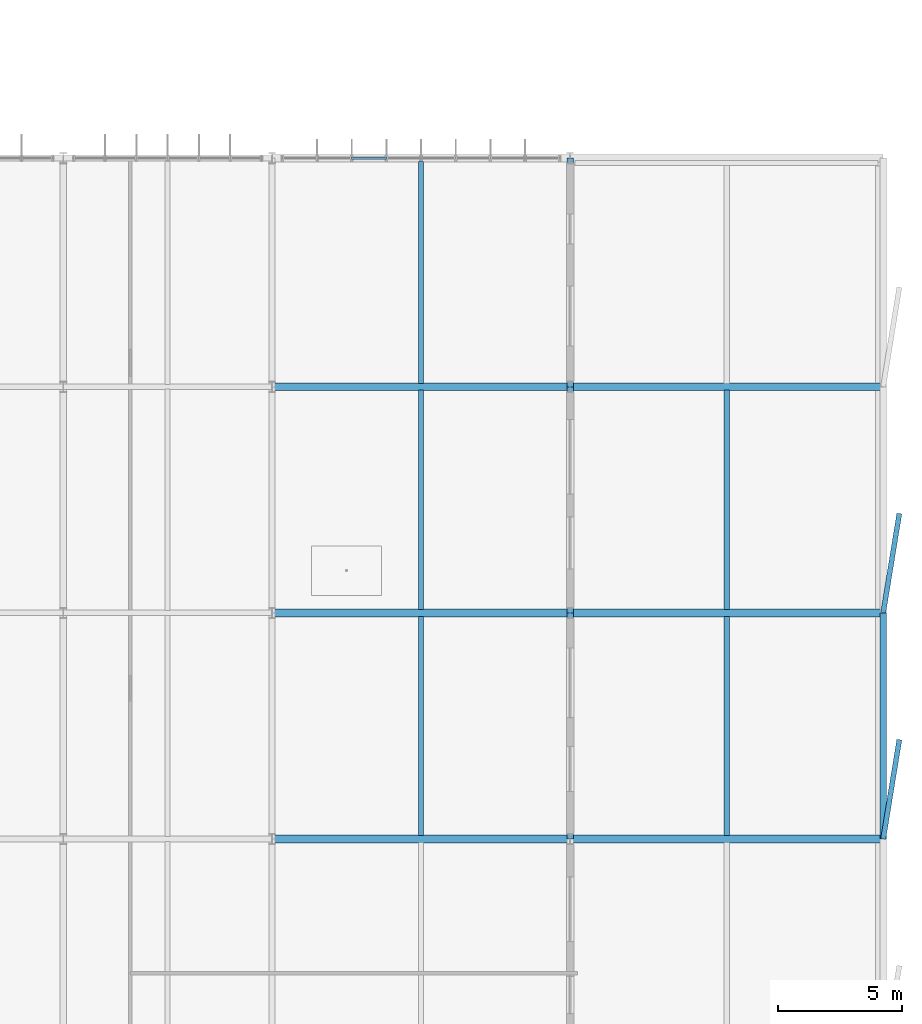
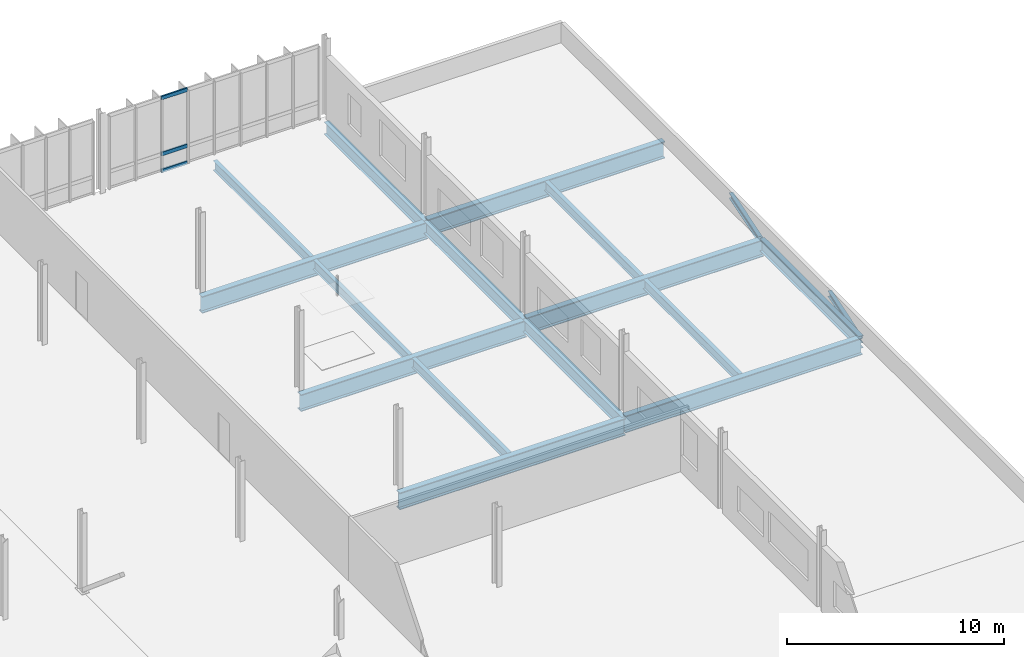
# One storey, part 80 of 139: 17 beams, 3 members, 1 element without a shape of its own.
"""IFC4 building model written with IfcOpenShell, lengths in metres."""

from ifc_helpers import new_model, si_unit, derived_unit, direction, frame, origin, origin_2d, place, context, subcontext, project, spatial, hollow_rectangle, i_section, extrude, material, layer, layer_set, material_profile, profile_set, type_object, element, aggregate, save


model = new_model("IFC4")

# Units and contexts
model_context = context("Model", 3, precision=1e-05, world=origin(), true_north=direction((0.0, 1.0)))
body_context = subcontext(model_context, "Body", "Model", "MODEL_VIEW")
ifc_project = project(units=[si_unit("LENGTHUNIT", "METRE"), si_unit("AREAUNIT", "SQUARE_METRE"), si_unit("VOLUMEUNIT", "CUBIC_METRE"), si_unit("PLANEANGLEUNIT", "RADIAN"), si_unit("MASSUNIT", "GRAM", prefix="KILO"), derived_unit("THERMALTRANSMITTANCEUNIT", [(si_unit("MASSUNIT", "GRAM", prefix="KILO"), 1), (si_unit("TIMEUNIT", "SECOND"), -3), (si_unit("THERMODYNAMICTEMPERATUREUNIT", "KELVIN"), -1)])], contexts=[model_context])

# Site, building, storey
site_placement = place(None, origin())
site = spatial("IfcSite", under=ifc_project, at=site_placement, CompositionType="ELEMENT")
building_placement = place(site_placement, origin())
building = spatial("IfcBuilding", under=site, at=building_placement, Name="Makaiwela Harbour Ferry Terminal", CompositionType="ELEMENT")
storey_placement = place(building_placement, frame((0.0, 0.0, 5.10009765625)))
storey = spatial("IfcBuildingStorey", under=building, at=storey_placement, Name="L01", CompositionType="ELEMENT", Elevation=5.10009765625)

# Curtain wall, members
ifc_material_1 = material(Name="Marine anodised aluminium 6063-T6", Category="aluminium")
ifc_layer = layer(ifc_material_1, 0.199951171875)
ifc_layer_set = layer_set([ifc_layer], Name="Marine anodised aluminium 6063-T6")
curtain_wall_type = type_object("IfcCurtainWallType", Name="ENV-CW-17", PredefinedType="USERDEFINED", material=ifc_layer_set)
curtain_wall_placement = place(storey_placement, origin())
curtain_wall = element("IfcCurtainWall", 1, at=curtain_wall_placement, inside=storey, type_object=curtain_wall_type, Name="Unitised Curtain Wall CWA-129", ObjectType="UNITIZED CURTAIN WALL", PredefinedType="USERDEFINED")
ifc_material_profile_1 = material_profile(ifc_material_1, hollow_rectangle(XDim=0.0849609375, YDim=0.199951171875, WallThickness=0.0048828125, at=origin_2d()), Name="CWT-200X85")
ifc_profile_set_1 = profile_set([ifc_material_profile_1], Name="Marine anodised aluminium 6063-T6")
member_type = type_object("IfcMemberType", Name="CW-TRN-200", PredefinedType="USERDEFINED", material=ifc_profile_set_1)
member_1_placement = place(storey_placement, frame((158.610107421875, 95.0, 0.0), z_axis=(1.0, 0.0, 0.0), x_axis=(0.0, 1.0, 0.0)))
member_1 = element("IfcMember", 2, at=member_1_placement, type_object=member_type, Name="Curtain Wall Transom CWA-129-3-1", ObjectType="TRANSOM", PredefinedType="USERDEFINED", context=body_context, shape_type="SweptSolid", body=[
    extrude(hollow_rectangle(XDim=0.0849609375, YDim=0.199951171875, WallThickness=0.0048828125, at=origin_2d()), origin(), (0.0, 0.0, 1.0), 1.394775390625),
])
member_2_placement = place(storey_placement, frame((158.610107421875, 95.0, 0.949951171875), z_axis=(1.0, 0.0, 0.0), x_axis=(0.0, 1.0, 0.0)))
member_2 = element("IfcMember", 3, at=member_2_placement, type_object=member_type, Name="Curtain Wall Transom CWA-129-3-2", ObjectType="TRANSOM", PredefinedType="USERDEFINED", context=body_context, shape_type="SweptSolid", body=[
    extrude(hollow_rectangle(XDim=0.0849609375, YDim=0.199951171875, WallThickness=0.0048828125, at=origin_2d()), origin(), (0.0, 0.0, 1.0), 1.394775390625),
])
member_3_placement = place(storey_placement, frame((158.610107421875, 95.0, 4.099853515625), z_axis=(1.0, 0.0, 0.0), x_axis=(0.0, 1.0, 0.0)))
member_3 = element("IfcMember", 4, at=member_3_placement, type_object=member_type, Name="Curtain Wall Transom CWA-129-3-3", ObjectType="TRANSOM", PredefinedType="USERDEFINED", context=body_context, shape_type="SweptSolid", body=[
    extrude(hollow_rectangle(XDim=0.0849609375, YDim=0.199951171875, WallThickness=0.0048828125, at=origin_2d()), origin(), (0.0, 0.0, 1.0), 1.394775390625),
])
aggregate(curtain_wall, [member_1, member_2, member_3])

# Beams
ifc_material_2 = material(Name="Steel ASTM A992 Grade 50", Category="steel")
ifc_material_profile_2 = material_profile(ifc_material_2, i_section(OverallWidth=0.2099609375, OverallDepth=0.537109375, WebThickness=0.010986328125, FlangeThickness=0.017333984375, at=origin_2d()), Name="W21X68")
ifc_profile_set_2 = profile_set([ifc_material_profile_2], Name="Steel ASTM A992 Grade 50")
beam_type_1 = type_object("IfcBeamType", Name="STR-BM-W21X68", PredefinedType="BEAM", material=ifc_profile_set_2)
beam_1_placement = place(storey_placement, frame((161.39990234375, 67.737060546875, -0.548583984375), z_axis=(0.0, 1.0, 0.0), x_axis=(-1.0, 0.0, 0.0)))
element("IfcBeam", 5, at=beam_1_placement, inside=storey, type_object=beam_type_1, Name="Secondary floor beam 1179", PredefinedType="BEAM", context=body_context, shape_type="SweptSolid", body=[
    extrude(i_section(OverallWidth=0.2099609375, OverallDepth=0.537109375, WebThickness=0.010986328125, FlangeThickness=0.017333984375, at=origin_2d()), origin(), (0.0, 0.0, 1.0), 8.825927734375),
])
beam_2_placement = place(storey_placement, frame((161.39990234375, 76.8369140625, -0.548583984375), z_axis=(0.0, 1.0, 0.0), x_axis=(-1.0, 0.0, 0.0)))
element("IfcBeam", 6, at=beam_2_placement, inside=storey, type_object=beam_type_1, Name="Secondary floor beam 1180", PredefinedType="BEAM", context=body_context, shape_type="SweptSolid", body=[
    extrude(i_section(OverallWidth=0.2099609375, OverallDepth=0.537109375, WebThickness=0.010986328125, FlangeThickness=0.017333984375, at=origin_2d()), origin(), (0.0, 0.0, 1.0), 8.826171875),
])
beam_3_placement = place(storey_placement, frame((161.39990234375, 85.93701171875, -0.548583984375), z_axis=(0.0, 1.0, 0.0), x_axis=(-1.0, 0.0, 0.0)))
element("IfcBeam", 7, at=beam_3_placement, inside=storey, type_object=beam_type_1, Name="Secondary floor beam 1181", PredefinedType="BEAM", context=body_context, shape_type="SweptSolid", body=[
    extrude(i_section(OverallWidth=0.2099609375, OverallDepth=0.537109375, WebThickness=0.010986328125, FlangeThickness=0.017333984375, at=origin_2d()), origin(), (0.0, 0.0, 1.0), 8.926025390625),
])
beam_4_placement = place(storey_placement, frame((173.699951171875, 67.737060546875, -0.4287109375), z_axis=(0.0, 1.0, 0.0), x_axis=(-1.0, 0.0, 0.0)))
element("IfcBeam", 8, at=beam_4_placement, inside=storey, type_object=beam_type_1, Name="Secondary floor beam 1190", PredefinedType="BEAM", context=body_context, shape_type="SweptSolid", body=[
    extrude(i_section(OverallWidth=0.2099609375, OverallDepth=0.537109375, WebThickness=0.010986328125, FlangeThickness=0.017333984375, at=origin_2d()), origin(), (0.0, 0.0, 1.0), 8.825927734375),
])
beam_5_placement = place(storey_placement, frame((173.699951171875, 76.8369140625, -0.4287109375), z_axis=(0.0, 1.0, 0.0), x_axis=(-1.0, 0.0, 0.0)))
element("IfcBeam", 9, at=beam_5_placement, inside=storey, type_object=beam_type_1, Name="Secondary floor beam 1191", PredefinedType="BEAM", context=body_context, shape_type="SweptSolid", body=[
    extrude(i_section(OverallWidth=0.2099609375, OverallDepth=0.537109375, WebThickness=0.010986328125, FlangeThickness=0.017333984375, at=origin_2d()), origin(), (0.0, 0.0, 1.0), 8.826171875),
])
ifc_material_profile_3 = material_profile(ifc_material_2, i_section(OverallWidth=0.256103515625, OverallDepth=0.693115234375, WebThickness=0.014404296875, FlangeThickness=0.023681640625, at=origin_2d()), Name="W27X114")
ifc_profile_set_3 = profile_set([ifc_material_profile_3], Name="Steel ASTM A992 Grade 50")
beam_type_2 = type_object("IfcBeamType", Name="STR-GRD-W27X114", PredefinedType="USERDEFINED", material=ifc_profile_set_3)
beam_6_placement = place(storey_placement, frame((167.39990234375, 67.60009765625, -0.626708984375), z_axis=(0.0, 1.0, 0.0), x_axis=(-1.0, 0.0, 0.0)))
element("IfcBeam", 10, at=beam_6_placement, inside=storey, type_object=beam_type_2, Name="Primary Y girder 1049", ObjectType="GIRDER", PredefinedType="USERDEFINED", context=body_context, shape_type="SweptSolid", body=[
    extrude(i_section(OverallWidth=0.256103515625, OverallDepth=0.693115234375, WebThickness=0.014404296875, FlangeThickness=0.023681640625, at=origin_2d()), origin(), (0.0, 0.0, 1.0), 9.099853515625),
])
beam_7_placement = place(storey_placement, frame((167.39990234375, 76.699951171875, -0.626708984375), z_axis=(0.0, 1.0, 0.0), x_axis=(-1.0, 0.0, 0.0)))
element("IfcBeam", 11, at=beam_7_placement, inside=storey, type_object=beam_type_2, Name="Primary Y girder 1050", ObjectType="GIRDER", PredefinedType="USERDEFINED", context=body_context, shape_type="SweptSolid", body=[
    extrude(i_section(OverallWidth=0.256103515625, OverallDepth=0.693115234375, WebThickness=0.014404296875, FlangeThickness=0.023681640625, at=origin_2d()), origin(), (0.0, 0.0, 1.0), 9.10009765625),
])
beam_8_placement = place(storey_placement, frame((167.39990234375, 85.800048828125, -0.626708984375), z_axis=(0.0, 1.0, 0.0), x_axis=(-1.0, 0.0, 0.0)))
element("IfcBeam", 12, at=beam_8_placement, inside=storey, type_object=beam_type_2, Name="Primary Y girder 1051", ObjectType="GIRDER", PredefinedType="USERDEFINED", context=body_context, shape_type="SweptSolid", body=[
    extrude(i_section(OverallWidth=0.256103515625, OverallDepth=0.693115234375, WebThickness=0.014404296875, FlangeThickness=0.023681640625, at=origin_2d()), origin(), (0.0, 0.0, 1.0), 9.199951171875),
])
beam_9_placement = place(storey_placement, frame((180.0, 67.60009765625, -0.506591796875), z_axis=(0.0, 1.0, 0.0), x_axis=(-1.0, 0.0, 0.0)))
element("IfcBeam", 13, at=beam_9_placement, inside=storey, type_object=beam_type_2, Name="Primary Y girder 1060", ObjectType="GIRDER", PredefinedType="USERDEFINED", context=body_context, shape_type="SweptSolid", body=[
    extrude(i_section(OverallWidth=0.256103515625, OverallDepth=0.693115234375, WebThickness=0.014404296875, FlangeThickness=0.023681640625, at=origin_2d()), origin(), (0.0, 0.0, 1.0), 9.099853515625),
])
ifc_material_profile_4 = material_profile(ifc_material_2, i_section(OverallWidth=0.31005859375, OverallDepth=0.949951171875, WebThickness=0.0244140625, FlangeThickness=0.0439453125, at=origin_2d()), Name="W36X256")
ifc_profile_set_4 = profile_set([ifc_material_profile_4], Name="Steel ASTM A992 Grade 50")
beam_type_3 = type_object("IfcBeamType", Name="STR-GRD-W36X256", PredefinedType="USERDEFINED", material=ifc_profile_set_4)
beam_10_placement = place(storey_placement, frame((155.39990234375, 67.60009765625, -0.755126953125), z_axis=(1.0, 0.0, 0.0), x_axis=(0.0, 1.0, 0.0)))
element("IfcBeam", 14, at=beam_10_placement, inside=storey, type_object=beam_type_3, Name="Primary X girder 865", ObjectType="GIRDER", PredefinedType="USERDEFINED", context=body_context, shape_type="SweptSolid", body=[
    extrude(i_section(OverallWidth=0.31005859375, OverallDepth=0.949951171875, WebThickness=0.0244140625, FlangeThickness=0.0439453125, at=origin_2d()), origin(), (0.0, 0.0, 1.0), 12.0),
])
beam_11_placement = place(storey_placement, frame((167.39990234375, 67.60009765625, -0.635009765625), z_axis=(1.0, 0.0, 0.0), x_axis=(0.0, 1.0, 0.0)))
element("IfcBeam", 15, at=beam_11_placement, inside=storey, type_object=beam_type_3, Name="Primary X girder 866", ObjectType="GIRDER", PredefinedType="USERDEFINED", context=body_context, shape_type="SweptSolid", body=[
    extrude(i_section(OverallWidth=0.31005859375, OverallDepth=0.949951171875, WebThickness=0.0244140625, FlangeThickness=0.0439453125, at=origin_2d()), origin(), (0.0, 0.0, 1.0), 12.60009765625),
])
beam_12_placement = place(storey_placement, frame((155.39990234375, 76.699951171875, -0.755126953125), z_axis=(1.0, 0.0, 0.0), x_axis=(0.0, 1.0, 0.0)))
element("IfcBeam", 16, at=beam_12_placement, inside=storey, type_object=beam_type_3, Name="Primary X girder 878", ObjectType="GIRDER", PredefinedType="USERDEFINED", context=body_context, shape_type="SweptSolid", body=[
    extrude(i_section(OverallWidth=0.31005859375, OverallDepth=0.949951171875, WebThickness=0.0244140625, FlangeThickness=0.0439453125, at=origin_2d()), origin(), (0.0, 0.0, 1.0), 12.0),
])
beam_13_placement = place(storey_placement, frame((167.39990234375, 76.699951171875, -0.635009765625), z_axis=(1.0, 0.0, 0.0), x_axis=(0.0, 1.0, 0.0)))
element("IfcBeam", 17, at=beam_13_placement, inside=storey, type_object=beam_type_3, Name="Primary X girder 879", ObjectType="GIRDER", PredefinedType="USERDEFINED", context=body_context, shape_type="SweptSolid", body=[
    extrude(i_section(OverallWidth=0.31005859375, OverallDepth=0.949951171875, WebThickness=0.0244140625, FlangeThickness=0.0439453125, at=origin_2d()), origin(), (0.0, 0.0, 1.0), 12.60009765625),
])
beam_14_placement = place(storey_placement, frame((155.39990234375, 85.800048828125, -0.755126953125), z_axis=(1.0, 0.0, 0.0), x_axis=(0.0, 1.0, 0.0)))
element("IfcBeam", 18, at=beam_14_placement, inside=storey, type_object=beam_type_3, Name="Primary X girder 891", ObjectType="GIRDER", PredefinedType="USERDEFINED", context=body_context, shape_type="SweptSolid", body=[
    extrude(i_section(OverallWidth=0.31005859375, OverallDepth=0.949951171875, WebThickness=0.0244140625, FlangeThickness=0.0439453125, at=origin_2d()), origin(), (0.0, 0.0, 1.0), 12.0),
])
beam_15_placement = place(storey_placement, frame((167.39990234375, 85.800048828125, -0.635009765625), z_axis=(1.0, 0.0, 0.0), x_axis=(0.0, 1.0, 0.0)))
element("IfcBeam", 19, at=beam_15_placement, inside=storey, type_object=beam_type_3, Name="Primary X girder 892", ObjectType="GIRDER", PredefinedType="USERDEFINED", context=body_context, shape_type="SweptSolid", body=[
    extrude(i_section(OverallWidth=0.31005859375, OverallDepth=0.949951171875, WebThickness=0.0244140625, FlangeThickness=0.0439453125, at=origin_2d()), origin(), (0.0, 0.0, 1.0), 12.60009765625),
])
ifc_material_profile_5 = material_profile(ifc_material_2, i_section(OverallWidth=0.205078125, OverallDepth=0.31005859375, WebThickness=0.009521484375, FlangeThickness=0.016357421875, at=origin_2d()), Name="W12X50")
ifc_profile_set_5 = profile_set([ifc_material_profile_5], Name="Steel ASTM A992 Grade 50")
beam_type_4 = type_object("IfcBeamType", Name="STR-LNT-W12X50", PredefinedType="LINTEL", material=ifc_profile_set_5)
for number, where, z_axis, x_axis, name in (
    (20, (180.64990234375, 71.60009765625, -0.400146484375), (-0.160372591239, -0.987056549535, 0.0), (0.987056549535, -0.160372591239, 0.0), "Structural Beam LN-01"),
    (21, (180.64990234375, 80.699951171875, -0.400146484375), (-0.160372591239, -0.987056549535, 0.0), (0.987056549535, -0.160372591239, 0.0), "Structural Beam LN-01"),
):
    element("IfcBeam", number, at=place(storey_placement, frame(where, z_axis=z_axis, x_axis=x_axis)), inside=storey, type_object=beam_type_4, Name=name, PredefinedType="LINTEL", context=body_context, shape_type="SweptSolid", body=[
        extrude(i_section(OverallWidth=0.205078125, OverallDepth=0.31005859375, WebThickness=0.009521484375, FlangeThickness=0.016357421875, at=origin_2d()), origin(), (0.0, 0.0, 1.0), 4.052490234375),
    ])

save(model, "model.ifc")
